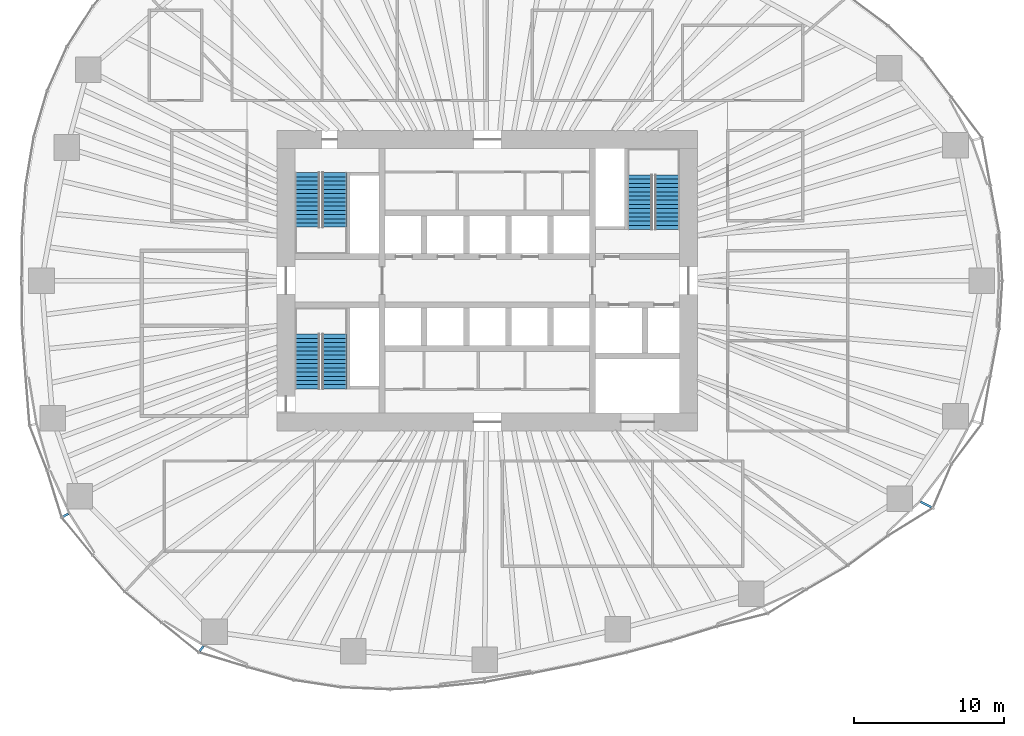
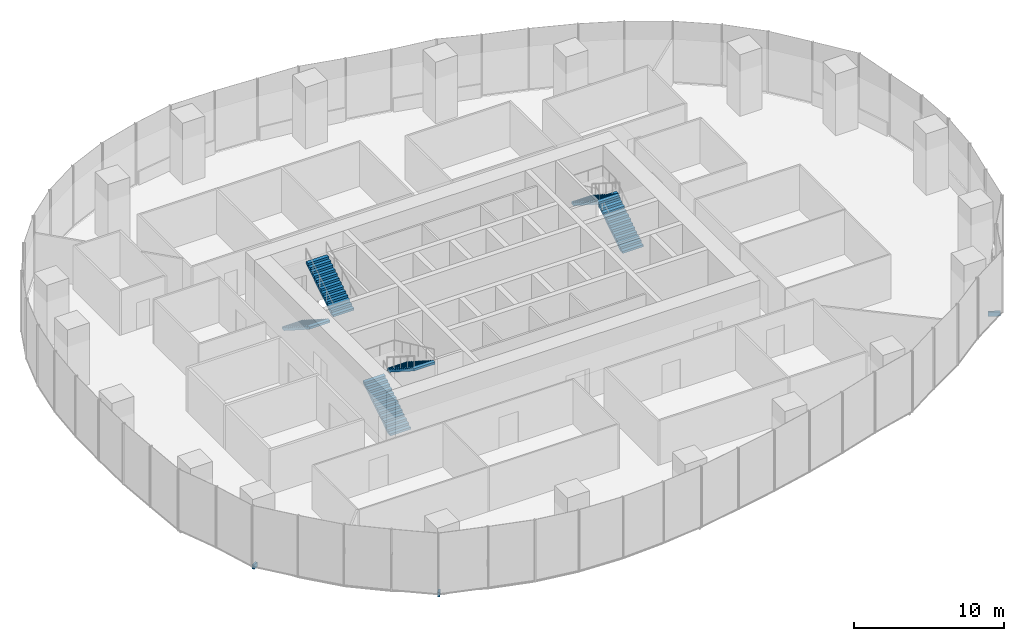
# One storey, part 12 of 20: 6 stair flights, 3 discrete accessories, 3 elements without a shape of their own.
"""IFC4 building model written with IfcOpenShell, lengths in metres."""

from ifc_helpers import new_model, si_unit, direction, frame, origin, origin_2d, place, context, subcontext, project, spatial, polyline, rectangle, outline, extrude, material, type_object, element, aggregate, save


model = new_model("IFC4")

# Units and contexts
model_context = context("Model", 3, precision=1e-05, world=origin(), true_north=direction((0.0, 1.0)))
body_context = subcontext(model_context, "Body", "Model", "MODEL_VIEW")
ifc_project = project(units=[si_unit("LENGTHUNIT", "METRE"), si_unit("AREAUNIT", "SQUARE_METRE"), si_unit("VOLUMEUNIT", "CUBIC_METRE"), si_unit("PLANEANGLEUNIT", "RADIAN"), si_unit("MASSUNIT", "GRAM", prefix="KILO")], contexts=[model_context])

# Site, building, storey
site_placement = place(None, origin())
site = spatial("IfcSite", under=ifc_project, at=site_placement, CompositionType="ELEMENT")
building_placement = place(site_placement, origin())
building = spatial("IfcBuilding", under=site, at=building_placement, Name="Ghaith Harvest Tower", CompositionType="ELEMENT")
storey_placement = place(building_placement, frame((0.0, 0.0, 85.0)))
storey = spatial("IfcBuildingStorey", under=building, at=storey_placement, Name="L17", CompositionType="ELEMENT", Elevation=85.0)

# Stair, stair flights
ifc_material_1 = material(Name="Concrete C40/50, precast", Category="concrete")
stair_type = type_object("IfcStairType", Name="CORE STAIR 28R", PredefinedType="HALF_TURN_STAIR", material=ifc_material_1)
stair_1_placement = place(storey_placement, origin())
stair_1 = element("IfcStair", 1, at=stair_1_placement, inside=storey, type_object=stair_type, Name="Stair ST1 L17", PredefinedType="HALF_TURN_STAIR")
ifc_material_2 = material(Name="Concrete C40/50, precast", Category="concrete")
stair_flight_type = type_object("IfcStairFlightType", Name="CORE FLIGHT 14R 1600", PredefinedType="STRAIGHT", material=ifc_material_2)
stair_flight_1_placement = place(storey_placement, frame((-12.0, 7.199951171875, 0.0), z_axis=(0.0, 0.0, 1.0), x_axis=(0.0, -1.0, 0.0)))
stair_flight_1 = element("IfcStairFlight", 2, at=stair_flight_1_placement, type_object=stair_flight_type, Name="ST1 flight 1", NumberOfRisers=14, NumberOfTreads=13, PredefinedType="STRAIGHT", RiserHeight=0.178571429, TreadLength=0.28, context=body_context, shape_type="SweptSolid", body=[
    extrude(outline(polyline([(0.0, 0.0), (0.0, 0.178466796875), (0.280029296875, 0.178466796875), (0.280029296875, 0.357177734375), (0.56005859375, 0.357177734375), (0.56005859375, 0.53564453125), (0.840087890625, 0.53564453125), (0.840087890625, 0.71435546875), (1.1201171875, 0.71435546875), (1.1201171875, 0.892822265625), (1.39990234375, 0.892822265625), (1.39990234375, 1.071533203125), (1.679931640625, 1.071533203125), (1.679931640625, 1.25), (1.9599609375, 1.25), (1.9599609375, 1.428466796875), (2.239990234375, 1.428466796875), (2.239990234375, 1.607177734375), (2.52001953125, 1.607177734375), (2.52001953125, 1.78564453125), (2.800048828125, 1.78564453125), (2.800048828125, 1.96435546875), (3.080078125, 1.96435546875), (3.080078125, 2.142822265625), (3.360107421875, 2.142822265625), (3.360107421875, 2.321533203125), (3.639892578125, 2.321533203125), (3.639892578125, 2.5), (3.639892578125, 2.1435546875), (0.27880859375, 0.0), (0.0, 0.0)])), frame((0.0, 0.800048828125, 0.0), z_axis=(0.0, -1.0, 0.0), x_axis=(1.0, 0.0, 0.0)), (0.0, 0.0, 1.0), 1.60009765625),
])
stair_flight_2_placement = place(storey_placement, frame((-10.14990234375, 3.56005859375, 2.5), z_axis=(0.0, 0.0, 1.0), x_axis=(0.0, 1.0, 0.0)))
stair_flight_2 = element("IfcStairFlight", 3, at=stair_flight_2_placement, type_object=stair_flight_type, Name="ST1 flight 2", NumberOfRisers=14, NumberOfTreads=13, PredefinedType="STRAIGHT", RiserHeight=0.178571429, TreadLength=0.28, context=body_context, shape_type="SweptSolid", body=[
    extrude(outline(polyline([(0.0, 0.0), (0.0, 0.178466796875), (0.280029296875, 0.178466796875), (0.280029296875, 0.357177734375), (0.56005859375, 0.357177734375), (0.56005859375, 0.53564453125), (0.840087890625, 0.53564453125), (0.840087890625, 0.71435546875), (1.1201171875, 0.71435546875), (1.1201171875, 0.892822265625), (1.39990234375, 0.892822265625), (1.39990234375, 1.071533203125), (1.679931640625, 1.071533203125), (1.679931640625, 1.25), (1.9599609375, 1.25), (1.9599609375, 1.428466796875), (2.239990234375, 1.428466796875), (2.239990234375, 1.607177734375), (2.52001953125, 1.607177734375), (2.52001953125, 1.78564453125), (2.800048828125, 1.78564453125), (2.800048828125, 1.96435546875), (3.080078125, 1.96435546875), (3.080078125, 2.142822265625), (3.360107421875, 2.142822265625), (3.360107421875, 2.321533203125), (3.639892578125, 2.321533203125), (3.639892578125, 2.5), (3.639892578125, 2.1435546875), (0.27880859375, 0.0), (0.0, 0.0)])), frame((0.0, 0.800048828125, 0.0), z_axis=(0.0, -1.0, 0.0), x_axis=(1.0, 0.0, 0.0)), (0.0, 0.0, 1.0), 1.60009765625),
])
aggregate(stair_1, [stair_flight_1, stair_flight_2])

stair_2_placement = place(storey_placement, origin())
stair_2 = element("IfcStair", 4, at=stair_2_placement, inside=storey, type_object=stair_type, Name="Stair ST3 L17", PredefinedType="HALF_TURN_STAIR")
stair_flight_3_placement = place(storey_placement, frame((-12.0, -7.199951171875, 0.0), z_axis=(0.0, 0.0, 1.0), x_axis=(0.0, 1.0, 0.0)))
stair_flight_3 = element("IfcStairFlight", 5, at=stair_flight_3_placement, type_object=stair_flight_type, Name="ST3 flight 1", NumberOfRisers=14, NumberOfTreads=13, PredefinedType="STRAIGHT", RiserHeight=0.178571429, TreadLength=0.28, context=body_context, shape_type="SweptSolid", body=[
    extrude(outline(polyline([(0.0, 0.0), (0.0, 0.178466796875), (0.280029296875, 0.178466796875), (0.280029296875, 0.357177734375), (0.56005859375, 0.357177734375), (0.56005859375, 0.53564453125), (0.840087890625, 0.53564453125), (0.840087890625, 0.71435546875), (1.1201171875, 0.71435546875), (1.1201171875, 0.892822265625), (1.39990234375, 0.892822265625), (1.39990234375, 1.071533203125), (1.679931640625, 1.071533203125), (1.679931640625, 1.25), (1.9599609375, 1.25), (1.9599609375, 1.428466796875), (2.239990234375, 1.428466796875), (2.239990234375, 1.607177734375), (2.52001953125, 1.607177734375), (2.52001953125, 1.78564453125), (2.800048828125, 1.78564453125), (2.800048828125, 1.96435546875), (3.080078125, 1.96435546875), (3.080078125, 2.142822265625), (3.360107421875, 2.142822265625), (3.360107421875, 2.321533203125), (3.639892578125, 2.321533203125), (3.639892578125, 2.5), (3.639892578125, 2.1435546875), (0.27880859375, 0.0), (0.0, 0.0)])), frame((0.0, 0.800048828125, 0.0), z_axis=(0.0, -1.0, 0.0), x_axis=(1.0, 0.0, 0.0)), (0.0, 0.0, 1.0), 1.60009765625),
])
stair_flight_4_placement = place(storey_placement, frame((-10.14990234375, -3.56005859375, 2.5), z_axis=(0.0, 0.0, 1.0), x_axis=(0.0, -1.0, 0.0)))
stair_flight_4 = element("IfcStairFlight", 6, at=stair_flight_4_placement, type_object=stair_flight_type, Name="ST3 flight 2", NumberOfRisers=14, NumberOfTreads=13, PredefinedType="STRAIGHT", RiserHeight=0.178571429, TreadLength=0.28, context=body_context, shape_type="SweptSolid", body=[
    extrude(outline(polyline([(0.0, 0.0), (0.0, 0.178466796875), (0.280029296875, 0.178466796875), (0.280029296875, 0.357177734375), (0.56005859375, 0.357177734375), (0.56005859375, 0.53564453125), (0.840087890625, 0.53564453125), (0.840087890625, 0.71435546875), (1.1201171875, 0.71435546875), (1.1201171875, 0.892822265625), (1.39990234375, 0.892822265625), (1.39990234375, 1.071533203125), (1.679931640625, 1.071533203125), (1.679931640625, 1.25), (1.9599609375, 1.25), (1.9599609375, 1.428466796875), (2.239990234375, 1.428466796875), (2.239990234375, 1.607177734375), (2.52001953125, 1.607177734375), (2.52001953125, 1.78564453125), (2.800048828125, 1.78564453125), (2.800048828125, 1.96435546875), (3.080078125, 1.96435546875), (3.080078125, 2.142822265625), (3.360107421875, 2.142822265625), (3.360107421875, 2.321533203125), (3.639892578125, 2.321533203125), (3.639892578125, 2.5), (3.639892578125, 2.1435546875), (0.27880859375, 0.0), (0.0, 0.0)])), frame((0.0, 0.800048828125, 0.0), z_axis=(0.0, -1.0, 0.0), x_axis=(1.0, 0.0, 0.0)), (0.0, 0.0, 1.0), 1.60009765625),
])
aggregate(stair_2, [stair_flight_3, stair_flight_4])

stair_3_placement = place(storey_placement, origin())
stair_3 = element("IfcStair", 7, at=stair_3_placement, inside=storey, type_object=stair_type, Name="Stair ST2 L17", PredefinedType="HALF_TURN_STAIR")
stair_flight_5_placement = place(storey_placement, frame((12.0, 3.39990234375, 0.0), z_axis=(0.0, 0.0, 1.0), x_axis=(0.0, 1.0, 0.0)))
stair_flight_5 = element("IfcStairFlight", 8, at=stair_flight_5_placement, type_object=stair_flight_type, Name="ST2 flight 1", NumberOfRisers=14, NumberOfTreads=13, PredefinedType="STRAIGHT", RiserHeight=0.178571429, TreadLength=0.28, context=body_context, shape_type="SweptSolid", body=[
    extrude(outline(polyline([(0.0, 0.0), (0.0, 0.178466796875), (0.280029296875, 0.178466796875), (0.280029296875, 0.357177734375), (0.56005859375, 0.357177734375), (0.56005859375, 0.53564453125), (0.840087890625, 0.53564453125), (0.840087890625, 0.71435546875), (1.1201171875, 0.71435546875), (1.1201171875, 0.892822265625), (1.39990234375, 0.892822265625), (1.39990234375, 1.071533203125), (1.679931640625, 1.071533203125), (1.679931640625, 1.25), (1.9599609375, 1.25), (1.9599609375, 1.428466796875), (2.239990234375, 1.428466796875), (2.239990234375, 1.607177734375), (2.52001953125, 1.607177734375), (2.52001953125, 1.78564453125), (2.800048828125, 1.78564453125), (2.800048828125, 1.96435546875), (3.080078125, 1.96435546875), (3.080078125, 2.142822265625), (3.360107421875, 2.142822265625), (3.360107421875, 2.321533203125), (3.639892578125, 2.321533203125), (3.639892578125, 2.5), (3.639892578125, 2.1435546875), (0.27880859375, 0.0), (0.0, 0.0)])), frame((0.0, 0.800048828125, 0.0), z_axis=(0.0, -1.0, 0.0), x_axis=(1.0, 0.0, 0.0)), (0.0, 0.0, 1.0), 1.60009765625),
])
stair_flight_6_placement = place(storey_placement, frame((10.14990234375, 7.0400390625, 2.5), z_axis=(0.0, 0.0, 1.0), x_axis=(0.0, -1.0, 0.0)))
stair_flight_6 = element("IfcStairFlight", 9, at=stair_flight_6_placement, type_object=stair_flight_type, Name="ST2 flight 2", NumberOfRisers=14, NumberOfTreads=13, PredefinedType="STRAIGHT", RiserHeight=0.178571429, TreadLength=0.28, context=body_context, shape_type="SweptSolid", body=[
    extrude(outline(polyline([(0.0, 0.0), (0.0, 0.178466796875), (0.280029296875, 0.178466796875), (0.280029296875, 0.357177734375), (0.56005859375, 0.357177734375), (0.56005859375, 0.53564453125), (0.840087890625, 0.53564453125), (0.840087890625, 0.71435546875), (1.1201171875, 0.71435546875), (1.1201171875, 0.892822265625), (1.39990234375, 0.892822265625), (1.39990234375, 1.071533203125), (1.679931640625, 1.071533203125), (1.679931640625, 1.25), (1.9599609375, 1.25), (1.9599609375, 1.428466796875), (2.239990234375, 1.428466796875), (2.239990234375, 1.607177734375), (2.52001953125, 1.607177734375), (2.52001953125, 1.78564453125), (2.800048828125, 1.78564453125), (2.800048828125, 1.96435546875), (3.080078125, 1.96435546875), (3.080078125, 2.142822265625), (3.360107421875, 2.142822265625), (3.360107421875, 2.321533203125), (3.639892578125, 2.321533203125), (3.639892578125, 2.5), (3.639892578125, 2.1435546875), (0.27880859375, 0.0), (0.0, 0.0)])), frame((0.0, 0.800048828125, 0.0), z_axis=(0.0, -1.0, 0.0), x_axis=(1.0, 0.0, 0.0)), (0.0, 0.0, 1.0), 1.60009765625),
])
aggregate(stair_3, [stair_flight_5, stair_flight_6])

# Discrete accessories
ifc_material_3 = material(Name="Stainless steel grade 1.4401", Category="steel")
discrete_accessory_type_1 = type_object("IfcDiscreteAccessoryType", Name="CURTAIN WALL BRACKET 415", PredefinedType="BRACKET", material=ifc_material_3)
discrete_accessory_1_placement = place(storey_placement, frame((-28.05859375, -15.60546875, -0.25), z_axis=(0.0, 0.0, 1.0), x_axis=(-0.873926916099, -0.486057347767, 0.0)))
element("IfcDiscreteAccessory", 10, at=discrete_accessory_1_placement, inside=storey, type_object=discrete_accessory_type_1, Name="CW-F bracket 3 bay 12 L17", PredefinedType="BRACKET", context=body_context, shape_type="SweptSolid", body=[
    extrude(rectangle(XDim=0.4150390625, YDim=0.14990234375, at=origin_2d()), origin(), (0.0, 0.0, 1.0), 0.35009765625),
])
ifc_material_4 = material(Name="Stainless steel grade 1.4401", Category="steel")
discrete_accessory_type_2 = type_object("IfcDiscreteAccessoryType", Name="CURTAIN WALL BRACKET 425", PredefinedType="BRACKET", material=ifc_material_4)
discrete_accessory_2_placement = place(storey_placement, frame((-19.02099609375, -24.491455078125, -0.25), z_axis=(0.0, 0.0, 1.0), x_axis=(-0.613377713774, -0.789789706343, 0.0)))
element("IfcDiscreteAccessory", 11, at=discrete_accessory_2_placement, inside=storey, type_object=discrete_accessory_type_2, Name="CW-F bracket 1 bay 14 L17", PredefinedType="BRACKET", context=body_context, shape_type="SweptSolid", body=[
    extrude(rectangle(XDim=0.425048828125, YDim=0.14990234375, at=origin_2d()), origin(), (0.0, 0.0, 1.0), 0.35009765625),
])
ifc_material_5 = material(Name="Stainless steel grade 1.4401", Category="steel")
discrete_accessory_type_3 = type_object("IfcDiscreteAccessoryType", Name="CURTAIN WALL BRACKET 825", PredefinedType="BRACKET", material=ifc_material_5)
discrete_accessory_3_placement = place(storey_placement, frame((29.203125, -14.89404296875, -0.25), z_axis=(0.0, 0.0, 1.0), x_axis=(0.890830752177, -0.454335306767, 0.0)))
element("IfcDiscreteAccessory", 12, at=discrete_accessory_3_placement, inside=storey, type_object=discrete_accessory_type_3, Name="CW-F bracket 2 bay 19 L17", PredefinedType="BRACKET", context=body_context, shape_type="SweptSolid", body=[
    extrude(rectangle(XDim=0.824951171875, YDim=0.14990234375, at=origin_2d()), origin(), (0.0, 0.0, 1.0), 0.35009765625),
])

save(model, "model.ifc")
